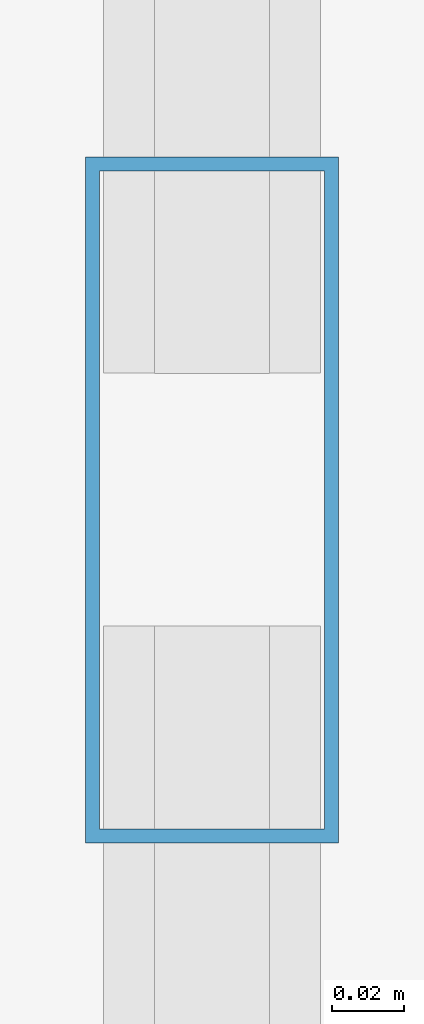
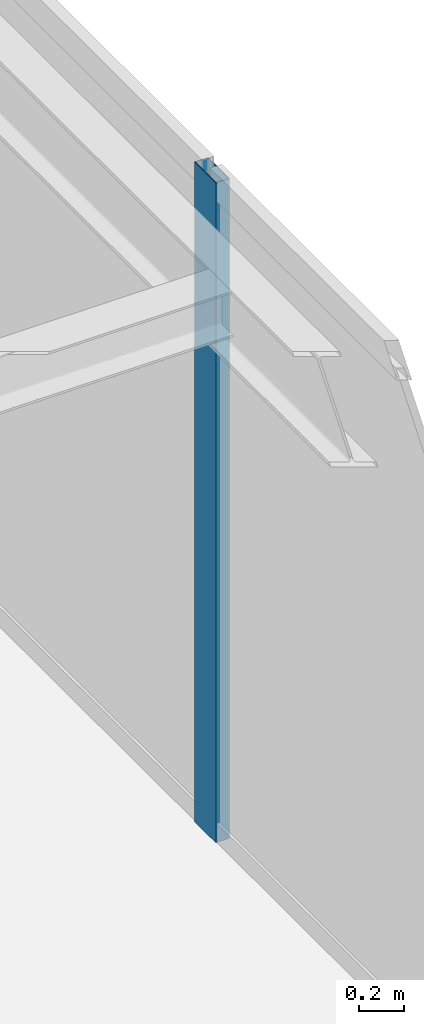
# One storey, part 20 of 30: 1 member, 1 element without a shape of its own.
"""IFC4 building model written with IfcOpenShell, lengths in metres."""

from ifc_helpers import new_model, si_unit, direction, frame, origin, origin_2d, place, context, subcontext, project, spatial, hollow_rectangle, extrude, source, transform, mapped, material, layer, layer_set, material_profile, profile_set, type_object, type_shapes, element, aggregate, save


model = new_model("IFC4")

# Units and contexts
model_context = context("Model", 3, precision=1e-05, world=origin(), true_north=direction((0.0, 1.0)))
body_context = subcontext(model_context, "Body", "Model", "MODEL_VIEW")
ifc_project = project(units=[si_unit("LENGTHUNIT", "METRE"), si_unit("AREAUNIT", "SQUARE_METRE"), si_unit("VOLUMEUNIT", "CUBIC_METRE"), si_unit("PLANEANGLEUNIT", "RADIAN"), si_unit("MASSUNIT", "GRAM", prefix="KILO")], contexts=[model_context])

# Site, building, storey
site_placement = place(None, origin())
site = spatial("IfcSite", under=ifc_project, at=site_placement, CompositionType="ELEMENT")
building_placement = place(site_placement, origin())
building = spatial("IfcBuilding", under=site, at=building_placement, Name="Varnel Quay Broadcast Tower", CompositionType="ELEMENT")
storey_placement = place(building_placement, frame((0.0, 0.0, 122.0)))
storey = spatial("IfcBuildingStorey", under=building, at=storey_placement, Name="L29", CompositionType="ELEMENT", Elevation=122.0)

# Curtain wall, member
ifc_material = material(Name="Anodised Bronze Aluminium 6063-T6", Category="aluminium")
ifc_layer = layer(ifc_material, 0.18994140625, Name="Anodised Bronze Aluminium 6063-T6")
ifc_layer_set = layer_set([ifc_layer], Name="Anodised Bronze Aluminium 6063-T6")
curtain_wall_type = type_object("IfcCurtainWallType", Name="CW_LowerTower", PredefinedType="NOTDEFINED", material=ifc_layer_set)
curtain_wall_placement = place(storey_placement, origin())
curtain_wall = element("IfcCurtainWall", 1, at=curtain_wall_placement, inside=storey, type_object=curtain_wall_type, Name="L29 East Unitised Curtain Wall", PredefinedType="NOTDEFINED")
ifc_material_profile = material_profile(ifc_material, hollow_rectangle(XDim=0.070068359375, YDim=0.18994140625, WallThickness=0.00390625, at=origin_2d()), Name="ALU70X190X4")
ifc_profile_set = profile_set([ifc_material_profile], Name="Anodised Bronze Aluminium 6063-T6")
member_type = type_object("IfcMemberType", Name="Mull_CWS-02", PredefinedType="MULLION", material=ifc_profile_set)
shared_shape = source(origin(), body_context, "Body", "SweptSolid", [
    extrude(hollow_rectangle(XDim=0.070068359375, YDim=0.18994140625, WallThickness=0.00390625, at=origin_2d()), origin(), (0.0, 0.0, 1.0), 3.550048828125),
])
type_shapes(member_type, [shared_shape])
member_placement = place(storey_placement, frame((63.35009765625, 31.39990234375, 0.0), z_axis=(0.0, 0.0, 1.0), x_axis=(-1.0, 0.0, 0.0)))
member = element("IfcMember", 2, at=member_placement, type_object=member_type, Name="CWS-02 mullion 3", PredefinedType="MULLION", context=body_context, shape_type="MappedRepresentation", body=[
    mapped(shared_shape, transform((0.0, 0.0, 0.0), x_axis=(1.0, 0.0, 0.0), y_axis=(0.0, 1.0, 0.0), z_axis=(0.0, 0.0, 1.0), scale=1.0)),
])
aggregate(curtain_wall, [member])

save(model, "model.ifc")
